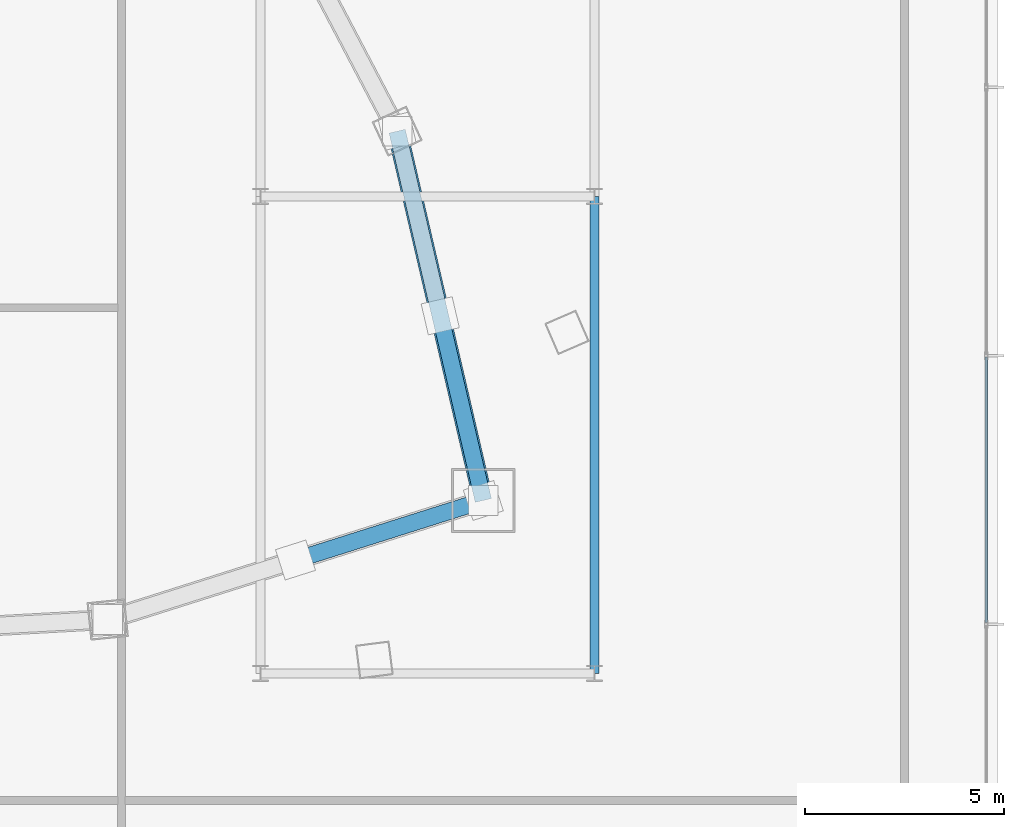
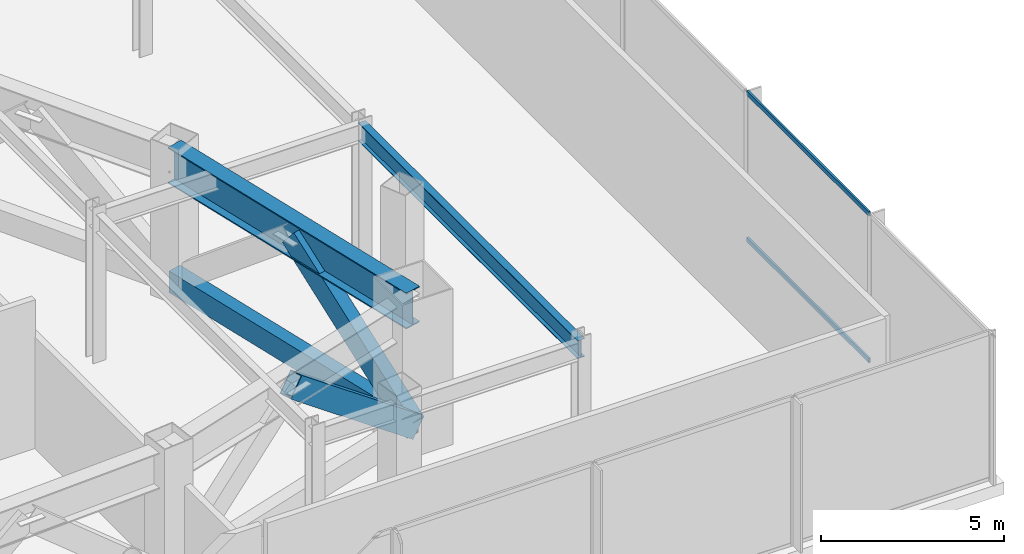
# One storey, part 16 of 43: 5 members, 2 beams, 1 element without a shape of its own.
"""IFC4 building model written with IfcOpenShell, lengths in metres."""

from ifc_helpers import new_model, si_unit, direction, frame, origin, origin_2d, place, context, subcontext, project, spatial, hollow_rectangle, i_section, extrude, material, layer, layer_set, material_profile, profile_set, type_object, element, aggregate, save


model = new_model("IFC4")

# Units and contexts
model_context = context("Model", 3, precision=1e-05, world=origin(), true_north=direction((0.0, 1.0)))
body_context = subcontext(model_context, "Body", "Model", "MODEL_VIEW")
ifc_project = project(units=[si_unit("LENGTHUNIT", "METRE"), si_unit("AREAUNIT", "SQUARE_METRE"), si_unit("VOLUMEUNIT", "CUBIC_METRE"), si_unit("PLANEANGLEUNIT", "RADIAN"), si_unit("MASSUNIT", "GRAM", prefix="KILO")], contexts=[model_context])

# Site, building, storey
site_placement = place(None, origin())
site = spatial("IfcSite", under=ifc_project, at=site_placement, CompositionType="ELEMENT")
building_placement = place(site_placement, origin())
building = spatial("IfcBuilding", under=site, at=building_placement, Name="Orvanel Arch Residences", CompositionType="ELEMENT")
storey_placement = place(building_placement, frame((0.0, 0.0, 18.39990234375)))
storey = spatial("IfcBuildingStorey", under=building, at=storey_placement, Name="L04", CompositionType="ELEMENT", Elevation=18.39990234375)

# Beam
ifc_material_1 = material(Name="Structural steel AS/NZS 3679.1 Grade 300 (300 MPa)", Category="steel")
ifc_material_profile_1 = material_profile(ifc_material_1, i_section(OverallWidth=0.22900390625, OverallDepth=0.612060546875, WebThickness=0.011962890625, FlangeThickness=0.01953125, at=origin_2d()), Name="610UB125")
ifc_profile_set_1 = profile_set([ifc_material_profile_1], Name="Structural steel AS/NZS 3679.1 Grade 300 (300 MPa)")
beam_type_1 = type_object("IfcBeamType", Name="BG-610UB", PredefinedType="BEAM", material=ifc_profile_set_1)
beam_1_placement = place(storey_placement, frame((54.60009765625, 6.0, 4.654052734375), z_axis=(0.0, 1.0, 0.0), x_axis=(-1.0, 0.0, 0.0)))
element("IfcBeam", 1, at=beam_1_placement, inside=storey, type_object=beam_type_1, Name="L04 North-South Podium Girder XE55-S", PredefinedType="BEAM", context=body_context, shape_type="SweptSolid", body=[
    extrude(i_section(OverallWidth=0.22900390625, OverallDepth=0.612060546875, WebThickness=0.011962890625, FlangeThickness=0.01953125, at=origin_2d()), origin(), (0.0, 0.0, 1.0), 12.0),
])

# Members
ifc_material_2 = material(Name="Structural steel AS/NZS 3678 Grade 350", Category="steel")
ifc_material_profile_2 = material_profile(ifc_material_2, hollow_rectangle(XDim=0.419921875, YDim=0.719970703125, WallThickness=0.02490234375, at=origin_2d()), Name="RHS720x420x25")
ifc_profile_set_2 = profile_set([ifc_material_profile_2], Name="Structural steel AS/NZS 3678 Grade 350")
member_type_1 = type_object("IfcMemberType", Name="BR-720RHS", PredefinedType="BRACE", material=ifc_profile_set_2)
member_1_placement = place(storey_placement, frame((51.801025390625, 10.35107421875, 0.4501953125), z_axis=(-0.748432202194, -0.237283248562, 0.619310825573), x_axis=(0.30221548031, -0.953239635905, 0.0)))
element("IfcMember", 2, at=member_1_placement, inside=storey, type_object=member_type_1, Name="L04 Transfer Truss Chevron Web 04.2", PredefinedType="BRACE", context=body_context, shape_type="SweptSolid", body=[
    extrude(hollow_rectangle(XDim=0.419921875, YDim=0.719970703125, WallThickness=0.02490234375, at=origin_2d()), origin(), (0.0, 0.0, 1.0), 6.313232421875),
])
member_2_placement = place(storey_placement, frame((51.801025390625, 10.35107421875, 0.4501953125), z_axis=(-0.175735189853, 0.753207356508, 0.633873663398), x_axis=(-0.973844984311, -0.227213438273, 0.0)))
element("IfcMember", 3, at=member_2_placement, inside=storey, type_object=member_type_1, Name="L04 Transfer Truss Chevron Web 05.1", PredefinedType="BRACE", context=body_context, shape_type="SweptSolid", body=[
    extrude(hollow_rectangle(XDim=0.419921875, YDim=0.719970703125, WallThickness=0.02490234375, at=origin_2d()), origin(), (0.0, 0.0, 1.0), 6.168212890625),
])
ifc_material_profile_3 = material_profile(ifc_material_2, hollow_rectangle(XDim=0.419921875, YDim=0.719970703125, WallThickness=0.02490234375, at=origin_2d()), Name="RHS720x420x25")
ifc_profile_set_3 = profile_set([ifc_material_profile_3], Name="Structural steel AS/NZS 3678 Grade 350")
member_type_2 = type_object("IfcMemberType", Name="CH-720RHS", PredefinedType="CHORD", material=ifc_profile_set_3)
member_3_placement = place(storey_placement, frame((51.801025390625, 10.35107421875, 0.4501953125), z_axis=(-0.227236087167, 0.973839699688, 0.0), x_axis=(-0.973839699688, -0.227236087167, 0.0)))
element("IfcMember", 4, at=member_3_placement, inside=storey, type_object=member_type_2, Name="L04 Transfer Truss Bottom Chord 05", PredefinedType="CHORD", context=body_context, shape_type="SweptSolid", body=[
    extrude(hollow_rectangle(XDim=0.419921875, YDim=0.719970703125, WallThickness=0.02490234375, at=origin_2d()), origin(), (0.0, 0.0, 1.0), 9.54052734375),
])

# Beam
ifc_material_profile_4 = material_profile(ifc_material_2, i_section(OverallWidth=0.5, OverallDepth=1.199951171875, WebThickness=0.02001953125, FlangeThickness=0.035888671875, at=origin_2d()), Name="1200WB455")
ifc_profile_set_4 = profile_set([ifc_material_profile_4], Name="Structural steel AS/NZS 3678 Grade 350")
beam_type_2 = type_object("IfcBeamType", Name="TG-1200WB", PredefinedType="USERDEFINED", material=ifc_profile_set_4)
beam_2_placement = place(storey_placement, frame((51.801025390625, 10.35107421875, 4.360107421875), z_axis=(-0.227236087167, 0.973839699688, 0.0), x_axis=(-0.973839699688, -0.227236087167, 0.0)))
element("IfcBeam", 5, at=beam_2_placement, inside=storey, type_object=beam_type_2, Name="L04 Podium Transfer Belt Girder 05", ObjectType="TRANSFER GIRDER", PredefinedType="USERDEFINED", context=body_context, shape_type="SweptSolid", body=[
    extrude(i_section(OverallWidth=0.5, OverallDepth=1.199951171875, WebThickness=0.02001953125, FlangeThickness=0.035888671875, at=origin_2d()), origin(), (0.0, 0.0, 1.0), 9.54052734375),
])

# Curtain wall, members
ifc_material_3 = material(Name="Bronze-anodised aluminium AA6063-T6", Category="aluminium")
ifc_layer = layer(ifc_material_3, 0.199951171875)
ifc_layer_set = layer_set([ifc_layer], Name="Bronze-anodised aluminium AA6063-T6")
curtain_wall_type = type_object("IfcCurtainWallType", Name="CW1-POD-SYS", PredefinedType="NOTDEFINED", material=ifc_layer_set)
curtain_wall_placement = place(storey_placement, origin())
curtain_wall = element("IfcCurtainWall", 6, at=curtain_wall_placement, inside=storey, type_object=curtain_wall_type, Name="L04 CW1-POD-SYS Unitised Curtain Wall", PredefinedType="NOTDEFINED")
ifc_material_profile_5 = material_profile(ifc_material_3, hollow_rectangle(XDim=0.06494140625, YDim=0.14990234375, WallThickness=0.00390625, at=origin_2d()), Name="ALU150x65x4")
ifc_profile_set_5 = profile_set([ifc_material_profile_5], Name="Bronze-anodised aluminium AA6063-T6")
member_type_3 = type_object("IfcMemberType", Name="TRN-150x65", PredefinedType="USERDEFINED", material=ifc_profile_set_5)
member_4_placement = place(storey_placement, frame((64.449951171875, 7.280029296875, 0.03271484375), z_axis=(0.0, 1.0, 0.0), x_axis=(-1.0, 0.0, 0.0)))
member_4 = element("IfcMember", 7, at=member_4_placement, type_object=member_type_3, Name="CW-S1 transom 2.1", ObjectType="TRANSOM", PredefinedType="USERDEFINED", context=body_context, shape_type="SweptSolid", body=[
    extrude(hollow_rectangle(XDim=0.06494140625, YDim=0.14990234375, WallThickness=0.00390625, at=origin_2d()), origin(), (0.0, 0.0, 1.0), 6.677490234375),
])
member_5_placement = place(storey_placement, frame((64.449951171875, 7.280029296875, 4.927490234375), z_axis=(0.0, 1.0, 0.0), x_axis=(-1.0, 0.0, 0.0)))
member_5 = element("IfcMember", 8, at=member_5_placement, type_object=member_type_3, Name="CW-S1 transom 2.2", ObjectType="TRANSOM", PredefinedType="USERDEFINED", context=body_context, shape_type="SweptSolid", body=[
    extrude(hollow_rectangle(XDim=0.06494140625, YDim=0.14990234375, WallThickness=0.00390625, at=origin_2d()), origin(), (0.0, 0.0, 1.0), 6.677490234375),
])
aggregate(curtain_wall, [member_4, member_5])

save(model, "model.ifc")
